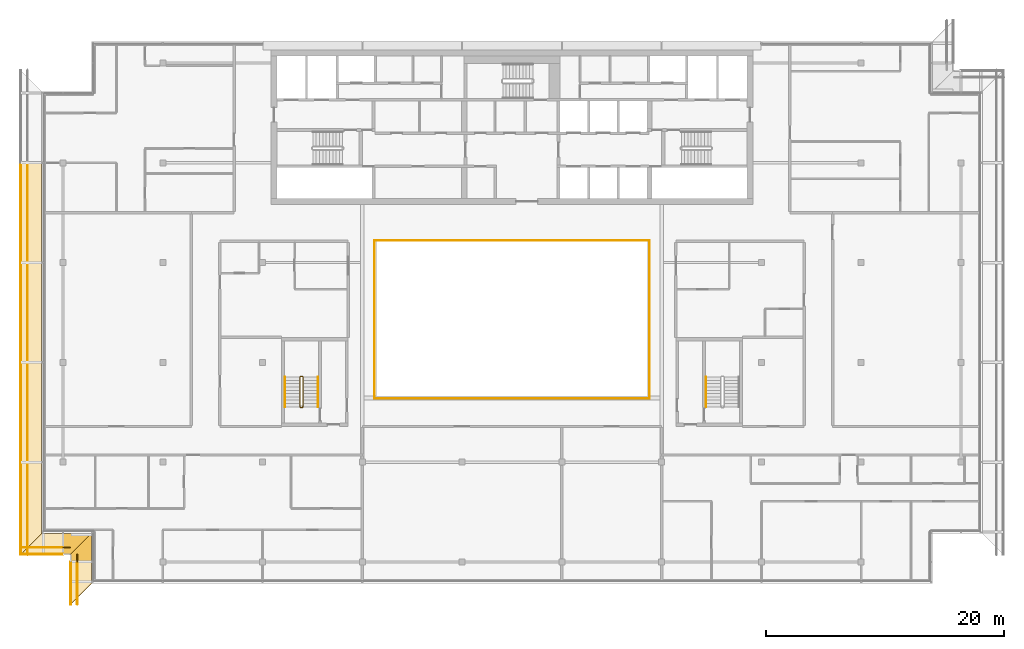
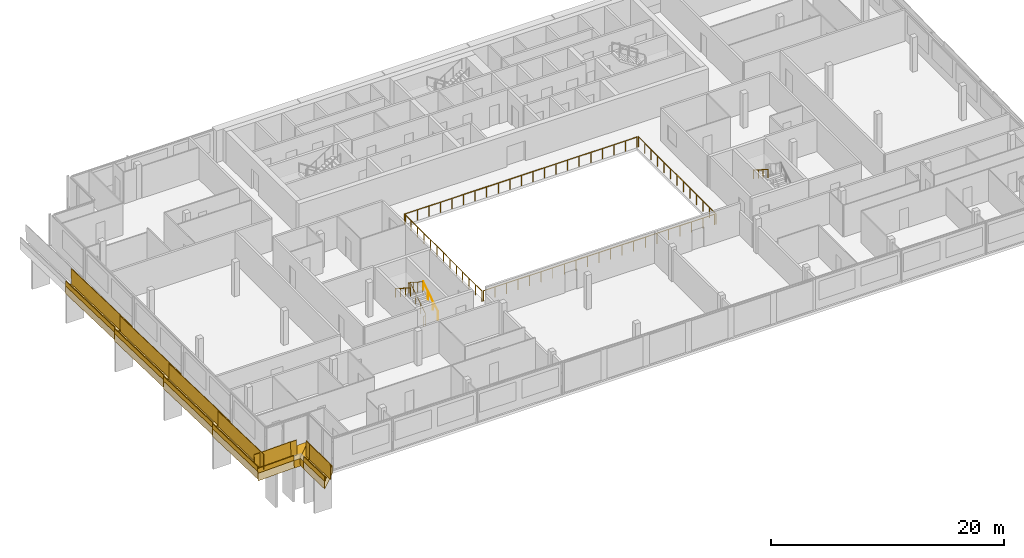
# One storey, part 23 of 27: 16 railings, 14 coverings.
"""IFC4 building model written with IfcOpenShell, lengths in metres."""

from ifc_helpers import new_model, si_unit, direction, frame, origin, origin_2d, place, context, subcontext, project, spatial, polyline, rectangle, circle, outline, extrude, material, layer, layer_set, type_object, element, save


model = new_model("IFC4")

# Units and contexts
model_context = context("Model", 3, precision=1e-05, world=origin(), true_north=direction((0.0, 1.0)))
body_context = subcontext(model_context, "Body", "Model", "MODEL_VIEW")
ifc_project = project(units=[si_unit("LENGTHUNIT", "METRE"), si_unit("AREAUNIT", "SQUARE_METRE"), si_unit("VOLUMEUNIT", "CUBIC_METRE"), si_unit("PLANEANGLEUNIT", "RADIAN"), si_unit("MASSUNIT", "GRAM", prefix="KILO")], contexts=[model_context])

# Site, building, storey
site_placement = place(None, origin())
site = spatial("IfcSite", under=ifc_project, at=site_placement, CompositionType="ELEMENT")
building_placement = place(site_placement, origin())
building = spatial("IfcBuilding", under=site, at=building_placement, Name="Saffron Gate Tower", CompositionType="ELEMENT")
storey_placement = place(building_placement, frame((0.0, 0.0, 267.14990234375)))
storey = spatial("IfcBuildingStorey", under=building, at=storey_placement, Name="L64", CompositionType="ELEMENT", Elevation=267.14990234375)

# Railings
ifc_material_1 = material(Name="Stainless steel and laminated glass", Category="steel")
railing_type_1 = type_object("IfcRailingType", Name="AG1 Atrium edge guard 1100", PredefinedType="GUARDRAIL", material=ifc_material_1)
railing_1_placement = place(storey_placement, frame((76.02001953125, 45.5400390625, 0.0)))
element("IfcRailing", 1, at=railing_1_placement, inside=storey, type_object=railing_type_1, Name="Guard E1-1", PredefinedType="GUARDRAIL", context=body_context, shape_type="SweptSolid", body=[
    extrude(circle(Radius=0.02392578125, at=origin_2d()), frame((0.0, 0.0, 1.076171875), z_axis=(0.0, 1.0, 0.0), x_axis=(-1.0, 0.0, 0.0)), (0.0, 0.0, 1.0), 13.320068359375),
    extrude(circle(Radius=0.02099609375, at=origin_2d()), origin(), (0.0, 0.0, 1.0), 1.052001953125),
    extrude(circle(Radius=0.02099609375, at=origin_2d()), frame((0.0, 1.110107421875, 0.0)), (0.0, 0.0, 1.0), 1.052001953125),
    extrude(circle(Radius=0.02099609375, at=origin_2d()), frame((0.0, 2.219970703125, 0.0)), (0.0, 0.0, 1.0), 1.052001953125),
    extrude(circle(Radius=0.02099609375, at=origin_2d()), frame((0.0, 3.330078125, 0.0)), (0.0, 0.0, 1.0), 1.052001953125),
    extrude(circle(Radius=0.02099609375, at=origin_2d()), frame((0.0, 4.43994140625, 0.0)), (0.0, 0.0, 1.0), 1.052001953125),
    extrude(circle(Radius=0.02099609375, at=origin_2d()), frame((0.0, 5.550048828125, 0.0)), (0.0, 0.0, 1.0), 1.052001953125),
    extrude(circle(Radius=0.02099609375, at=origin_2d()), frame((0.0, 6.66015625, 0.0)), (0.0, 0.0, 1.0), 1.052001953125),
    extrude(circle(Radius=0.02099609375, at=origin_2d()), frame((0.0, 7.77001953125, 0.0)), (0.0, 0.0, 1.0), 1.052001953125),
    extrude(circle(Radius=0.02099609375, at=origin_2d()), frame((0.0, 8.880126953125, 0.0)), (0.0, 0.0, 1.0), 1.052001953125),
    extrude(circle(Radius=0.02099609375, at=origin_2d()), frame((0.0, 9.989990234375, 0.0)), (0.0, 0.0, 1.0), 1.052001953125),
    extrude(circle(Radius=0.02099609375, at=origin_2d()), frame((0.0, 11.10009765625, 0.0)), (0.0, 0.0, 1.0), 1.052001953125),
    extrude(circle(Radius=0.02099609375, at=origin_2d()), frame((0.0, 12.2099609375, 0.0)), (0.0, 0.0, 1.0), 1.052001953125),
    extrude(circle(Radius=0.02099609375, at=origin_2d()), frame((0.0, 13.320068359375, 0.0)), (0.0, 0.0, 1.0), 1.052001953125),
])
railing_2_placement = place(storey_placement, frame((76.139892578125, 58.860107421875, 0.0)))
element("IfcRailing", 2, at=railing_2_placement, inside=storey, type_object=railing_type_1, Name="Guard E1-2", PredefinedType="GUARDRAIL", context=body_context, shape_type="SweptSolid", body=[
    extrude(circle(Radius=0.02392578125, at=origin_2d()), frame((0.0, 0.0, 1.076171875), z_axis=(1.0, 0.0, 0.0), x_axis=(0.0, 1.0, 0.0)), (0.0, 0.0, 1.0), 22.920166015625),
    extrude(circle(Radius=0.02099609375, at=origin_2d()), origin(), (0.0, 0.0, 1.0), 1.052001953125),
    extrude(circle(Radius=0.02099609375, at=origin_2d()), frame((1.14599609375, 0.0, 0.0)), (0.0, 0.0, 1.0), 1.052001953125),
    extrude(circle(Radius=0.02099609375, at=origin_2d()), frame((2.2919921875, 0.0, 0.0)), (0.0, 0.0, 1.0), 1.052001953125),
    extrude(circle(Radius=0.02099609375, at=origin_2d()), frame((3.43798828125, 0.0, 0.0)), (0.0, 0.0, 1.0), 1.052001953125),
    extrude(circle(Radius=0.02099609375, at=origin_2d()), frame((4.583984375, 0.0, 0.0)), (0.0, 0.0, 1.0), 1.052001953125),
    extrude(circle(Radius=0.02099609375, at=origin_2d()), frame((5.72998046875, 0.0, 0.0)), (0.0, 0.0, 1.0), 1.052001953125),
    extrude(circle(Radius=0.02099609375, at=origin_2d()), frame((6.8759765625, 0.0, 0.0)), (0.0, 0.0, 1.0), 1.052001953125),
    extrude(circle(Radius=0.02099609375, at=origin_2d()), frame((8.02197265625, 0.0, 0.0)), (0.0, 0.0, 1.0), 1.052001953125),
    extrude(circle(Radius=0.02099609375, at=origin_2d()), frame((9.16796875, 0.0, 0.0)), (0.0, 0.0, 1.0), 1.052001953125),
    extrude(circle(Radius=0.02099609375, at=origin_2d()), frame((10.31396484375, 0.0, 0.0)), (0.0, 0.0, 1.0), 1.052001953125),
    extrude(circle(Radius=0.02099609375, at=origin_2d()), frame((11.4599609375, 0.0, 0.0)), (0.0, 0.0, 1.0), 1.052001953125),
    extrude(circle(Radius=0.02099609375, at=origin_2d()), frame((12.606201171875, 0.0, 0.0)), (0.0, 0.0, 1.0), 1.052001953125),
    extrude(circle(Radius=0.02099609375, at=origin_2d()), frame((13.752197265625, 0.0, 0.0)), (0.0, 0.0, 1.0), 1.052001953125),
    extrude(circle(Radius=0.02099609375, at=origin_2d()), frame((14.898193359375, 0.0, 0.0)), (0.0, 0.0, 1.0), 1.052001953125),
    extrude(circle(Radius=0.02099609375, at=origin_2d()), frame((16.044189453125, 0.0, 0.0)), (0.0, 0.0, 1.0), 1.052001953125),
    extrude(circle(Radius=0.02099609375, at=origin_2d()), frame((17.190185546875, 0.0, 0.0)), (0.0, 0.0, 1.0), 1.052001953125),
    extrude(circle(Radius=0.02099609375, at=origin_2d()), frame((18.336181640625, 0.0, 0.0)), (0.0, 0.0, 1.0), 1.052001953125),
    extrude(circle(Radius=0.02099609375, at=origin_2d()), frame((19.482177734375, 0.0, 0.0)), (0.0, 0.0, 1.0), 1.052001953125),
    extrude(circle(Radius=0.02099609375, at=origin_2d()), frame((20.628173828125, 0.0, 0.0)), (0.0, 0.0, 1.0), 1.052001953125),
    extrude(circle(Radius=0.02099609375, at=origin_2d()), frame((21.774169921875, 0.0, 0.0)), (0.0, 0.0, 1.0), 1.052001953125),
    extrude(circle(Radius=0.02099609375, at=origin_2d()), frame((22.920166015625, 0.0, 0.0)), (0.0, 0.0, 1.0), 1.052001953125),
])
railing_3_placement = place(storey_placement, frame((99.179931640625, 58.860107421875, 0.0)))
element("IfcRailing", 3, at=railing_3_placement, inside=storey, type_object=railing_type_1, Name="Guard E1-3", PredefinedType="GUARDRAIL", context=body_context, shape_type="SweptSolid", body=[
    extrude(circle(Radius=0.02392578125, at=origin_2d()), frame((0.0, 0.0, 1.076171875), z_axis=(0.0, -1.0, 0.0), x_axis=(1.0, 0.0, 0.0)), (0.0, 0.0, 1.0), 13.320068359375),
    extrude(circle(Radius=0.02099609375, at=origin_2d()), origin(), (0.0, 0.0, 1.0), 1.052001953125),
    extrude(circle(Radius=0.02099609375, at=origin_2d()), frame((0.0, -1.110107421875, 0.0)), (0.0, 0.0, 1.0), 1.052001953125),
    extrude(circle(Radius=0.02099609375, at=origin_2d()), frame((0.0, -2.219970703125, 0.0)), (0.0, 0.0, 1.0), 1.052001953125),
    extrude(circle(Radius=0.02099609375, at=origin_2d()), frame((0.0, -3.330078125, 0.0)), (0.0, 0.0, 1.0), 1.052001953125),
    extrude(circle(Radius=0.02099609375, at=origin_2d()), frame((0.0, -4.43994140625, 0.0)), (0.0, 0.0, 1.0), 1.052001953125),
    extrude(circle(Radius=0.02099609375, at=origin_2d()), frame((0.0, -5.550048828125, 0.0)), (0.0, 0.0, 1.0), 1.052001953125),
    extrude(circle(Radius=0.02099609375, at=origin_2d()), frame((0.0, -6.66015625, 0.0)), (0.0, 0.0, 1.0), 1.052001953125),
    extrude(circle(Radius=0.02099609375, at=origin_2d()), frame((0.0, -7.77001953125, 0.0)), (0.0, 0.0, 1.0), 1.052001953125),
    extrude(circle(Radius=0.02099609375, at=origin_2d()), frame((0.0, -8.880126953125, 0.0)), (0.0, 0.0, 1.0), 1.052001953125),
    extrude(circle(Radius=0.02099609375, at=origin_2d()), frame((0.0, -9.989990234375, 0.0)), (0.0, 0.0, 1.0), 1.052001953125),
    extrude(circle(Radius=0.02099609375, at=origin_2d()), frame((0.0, -11.10009765625, 0.0)), (0.0, 0.0, 1.0), 1.052001953125),
    extrude(circle(Radius=0.02099609375, at=origin_2d()), frame((0.0, -12.2099609375, 0.0)), (0.0, 0.0, 1.0), 1.052001953125),
    extrude(circle(Radius=0.02099609375, at=origin_2d()), frame((0.0, -13.320068359375, 0.0)), (0.0, 0.0, 1.0), 1.052001953125),
])
railing_4_placement = place(storey_placement, frame((99.06005859375, 45.5400390625, 0.0)))
element("IfcRailing", 4, at=railing_4_placement, inside=storey, type_object=railing_type_1, Name="Guard E1-4", PredefinedType="GUARDRAIL", context=body_context, shape_type="SweptSolid", body=[
    extrude(circle(Radius=0.02392578125, at=origin_2d()), frame((0.0, 0.0, 1.076171875), z_axis=(-1.0, 0.0, 0.0), x_axis=(0.0, -1.0, 0.0)), (0.0, 0.0, 1.0), 22.920166015625),
    extrude(circle(Radius=0.02099609375, at=origin_2d()), origin(), (0.0, 0.0, 1.0), 1.052001953125),
    extrude(circle(Radius=0.02099609375, at=origin_2d()), frame((-1.14599609375, 0.0, 0.0)), (0.0, 0.0, 1.0), 1.052001953125),
    extrude(circle(Radius=0.02099609375, at=origin_2d()), frame((-2.2919921875, 0.0, 0.0)), (0.0, 0.0, 1.0), 1.052001953125),
    extrude(circle(Radius=0.02099609375, at=origin_2d()), frame((-3.43798828125, 0.0, 0.0)), (0.0, 0.0, 1.0), 1.052001953125),
    extrude(circle(Radius=0.02099609375, at=origin_2d()), frame((-4.583984375, 0.0, 0.0)), (0.0, 0.0, 1.0), 1.052001953125),
    extrude(circle(Radius=0.02099609375, at=origin_2d()), frame((-5.72998046875, 0.0, 0.0)), (0.0, 0.0, 1.0), 1.052001953125),
    extrude(circle(Radius=0.02099609375, at=origin_2d()), frame((-6.8759765625, 0.0, 0.0)), (0.0, 0.0, 1.0), 1.052001953125),
    extrude(circle(Radius=0.02099609375, at=origin_2d()), frame((-8.02197265625, 0.0, 0.0)), (0.0, 0.0, 1.0), 1.052001953125),
    extrude(circle(Radius=0.02099609375, at=origin_2d()), frame((-9.16796875, 0.0, 0.0)), (0.0, 0.0, 1.0), 1.052001953125),
    extrude(circle(Radius=0.02099609375, at=origin_2d()), frame((-10.31396484375, 0.0, 0.0)), (0.0, 0.0, 1.0), 1.052001953125),
    extrude(circle(Radius=0.02099609375, at=origin_2d()), frame((-11.4599609375, 0.0, 0.0)), (0.0, 0.0, 1.0), 1.052001953125),
    extrude(circle(Radius=0.02099609375, at=origin_2d()), frame((-12.606201171875, 0.0, 0.0)), (0.0, 0.0, 1.0), 1.052001953125),
    extrude(circle(Radius=0.02099609375, at=origin_2d()), frame((-13.752197265625, 0.0, 0.0)), (0.0, 0.0, 1.0), 1.052001953125),
    extrude(circle(Radius=0.02099609375, at=origin_2d()), frame((-14.898193359375, 0.0, 0.0)), (0.0, 0.0, 1.0), 1.052001953125),
    extrude(circle(Radius=0.02099609375, at=origin_2d()), frame((-16.044189453125, 0.0, 0.0)), (0.0, 0.0, 1.0), 1.052001953125),
    extrude(circle(Radius=0.02099609375, at=origin_2d()), frame((-17.190185546875, 0.0, 0.0)), (0.0, 0.0, 1.0), 1.052001953125),
    extrude(circle(Radius=0.02099609375, at=origin_2d()), frame((-18.336181640625, 0.0, 0.0)), (0.0, 0.0, 1.0), 1.052001953125),
    extrude(circle(Radius=0.02099609375, at=origin_2d()), frame((-19.482177734375, 0.0, 0.0)), (0.0, 0.0, 1.0), 1.052001953125),
    extrude(circle(Radius=0.02099609375, at=origin_2d()), frame((-20.628173828125, 0.0, 0.0)), (0.0, 0.0, 1.0), 1.052001953125),
    extrude(circle(Radius=0.02099609375, at=origin_2d()), frame((-21.774169921875, 0.0, 0.0)), (0.0, 0.0, 1.0), 1.052001953125),
    extrude(circle(Radius=0.02099609375, at=origin_2d()), frame((-22.920166015625, 0.0, 0.0)), (0.0, 0.0, 1.0), 1.052001953125),
])
railing_type_2 = type_object("IfcRailingType", Name="CR1 Stair guard 1100", PredefinedType="GUARDRAIL", material=ifc_material_1)
railing_5_placement = place(storey_placement, frame((69.800048828125, 44.800048828125, 0.0)))
element("IfcRailing", 5, at=railing_5_placement, inside=storey, type_object=railing_type_2, Name="L64 ST-D stair guard 1", PredefinedType="GUARDRAIL", context=body_context, shape_type="SweptSolid", body=[
    extrude(circle(Radius=0.02392578125, at=origin_2d()), frame((0.0, 0.0, 1.076171875), z_axis=(1.0, 0.0, 0.0), x_axis=(0.0, 1.0, 0.0)), (0.0, 0.0, 1.0), 0.14990234375),
    extrude(circle(Radius=0.02392578125, at=origin_2d()), frame((0.14990234375, 0.0, 1.076171875), z_axis=(0.258543844998, 0.258543844998, 0.930757841991), x_axis=(-0.707106781187, 0.707106781187, 0.0)), (0.0, 0.0, 1.0), 0.193603515625),
    extrude(circle(Radius=0.02392578125, at=origin_2d()), frame((0.199951171875, 0.050048828125, 1.25634765625), z_axis=(0.0, 0.841199657755, 0.540724639528), x_axis=(-1.0, 0.0, 0.0)), (0.0, 0.0, 1.0), 2.995849609375),
    extrude(circle(Radius=0.02392578125, at=origin_2d()), frame((0.199951171875, 2.570068359375, 2.8759765625), z_axis=(-0.708833529934, 0.705375805398, 0.0), x_axis=(-0.705375805398, -0.708833529934, 0.0)), (0.0, 0.0, 1.0), 0.070556640625),
    extrude(circle(Radius=0.02392578125, at=origin_2d()), frame((0.14990234375, 2.619873046875, 2.8759765625), z_axis=(-1.0, 0.0, 0.0), x_axis=(0.0, -1.0, 0.0)), (0.0, 0.0, 1.0), 0.14990234375),
    extrude(circle(Radius=0.02392578125, at=origin_2d()), frame((0.0, 2.619873046875, 2.8759765625), z_axis=(-0.258932105505, -0.257669022063, 0.930892496375), x_axis=(0.705375805398, -0.708833529934, 0.0)), (0.0, 0.0, 1.0), 0.193359375),
    extrude(circle(Radius=0.02392578125, at=origin_2d()), frame((-0.050048828125, 2.570068359375, 3.05615234375), z_axis=(0.0, -0.841162588446, 0.540782303519), x_axis=(1.0, 0.0, 0.0)), (0.0, 0.0, 1.0), 2.995849609375),
    extrude(circle(Radius=0.02099609375, at=origin_2d()), origin(), (0.0, 0.0, 1.0), 1.052001953125),
    extrude(circle(Radius=0.02099609375, at=origin_2d()), frame((0.14990234375, 0.0, 0.0)), (0.0, 0.0, 1.0), 1.052001953125),
    extrude(circle(Radius=0.02099609375, at=origin_2d()), frame((0.199951171875, 0.050048828125, 0.18017578125)), (0.0, 0.0, 1.0), 1.052001953125),
    extrude(circle(Radius=0.02099609375, at=origin_2d()), frame((0.199951171875, 0.89013671875, 0.72021484375)), (0.0, 0.0, 1.0), 1.052001953125),
    extrude(circle(Radius=0.02099609375, at=origin_2d()), frame((0.199951171875, 1.72998046875, 1.260009765625)), (0.0, 0.0, 1.0), 1.052001953125),
    extrude(circle(Radius=0.02099609375, at=origin_2d()), frame((0.199951171875, 2.570068359375, 1.800048828125)), (0.0, 0.0, 1.0), 1.052001953125),
    extrude(circle(Radius=0.02099609375, at=origin_2d()), frame((0.14990234375, 2.619873046875, 1.800048828125)), (0.0, 0.0, 1.0), 1.052001953125),
    extrude(circle(Radius=0.02099609375, at=origin_2d()), frame((0.0, 2.619873046875, 1.800048828125)), (0.0, 0.0, 1.0), 1.052001953125),
    extrude(circle(Radius=0.02099609375, at=origin_2d()), frame((-0.050048828125, 2.570068359375, 1.97998046875)), (0.0, 0.0, 1.0), 1.052001953125),
    extrude(circle(Radius=0.02099609375, at=origin_2d()), frame((-0.050048828125, 1.72998046875, 2.52001953125)), (0.0, 0.0, 1.0), 1.052001953125),
    extrude(circle(Radius=0.02099609375, at=origin_2d()), frame((-0.050048828125, 0.89013671875, 3.06005859375)), (0.0, 0.0, 1.0), 1.052001953125),
    extrude(circle(Radius=0.02099609375, at=origin_2d()), frame((-0.050048828125, 0.050048828125, 3.60009765625)), (0.0, 0.0, 1.0), 1.052001953125),
])
ifc_material_2 = material(Name="Stainless steel", Category="steel")
railing_type_3 = type_object("IfcRailingType", Name="CR2 Stair handrail 900", PredefinedType="HANDRAIL", material=ifc_material_2)
railing_6_placement = place(storey_placement, frame((71.25, 44.85009765625, 0.18017578125)))
element("IfcRailing", 6, at=railing_6_placement, inside=storey, type_object=railing_type_3, Name="L64 ST-D stair handrail 1", PredefinedType="HANDRAIL", context=body_context, shape_type="SweptSolid", body=[
    extrude(circle(Radius=0.02392578125, at=origin_2d()), frame((0.0, 0.0, 0.8759765625), z_axis=(0.0, 0.841199657755, 0.540724639528), x_axis=(-1.0, 0.0, 0.0)), (0.0, 0.0, 1.0), 2.995849609375),
    extrude(circle(Radius=0.02099609375, at=origin_2d()), origin(), (0.0, 0.0, 1.0), 0.851806640625),
    extrude(circle(Radius=0.02099609375, at=origin_2d()), frame((0.0, 0.840087890625, 0.5400390625)), (0.0, 0.0, 1.0), 0.851806640625),
    extrude(circle(Radius=0.02099609375, at=origin_2d()), frame((0.0, 1.679931640625, 1.079833984375)), (0.0, 0.0, 1.0), 0.851806640625),
    extrude(circle(Radius=0.02099609375, at=origin_2d()), frame((0.0, 2.52001953125, 1.619873046875)), (0.0, 0.0, 1.0), 0.851806640625),
])
for number, where, name in (
    (7, (68.5, 47.3701171875, 1.97998046875), "L64 ST-D stair handrail 2"),
    (8, (103.949951171875, 47.3701171875, 1.97998046875), "L64 ST-E stair handrail 2"),
):
    element("IfcRailing", number, at=place(storey_placement, frame(where)), inside=storey, type_object=railing_type_3, Name=name, PredefinedType="HANDRAIL", context=body_context, shape_type="SweptSolid", body=[
        extrude(circle(Radius=0.02392578125, at=origin_2d()), frame((0.0, 0.0, 0.8759765625), z_axis=(0.0, -0.841162588446, 0.540782303519), x_axis=(1.0, 0.0, 0.0)), (0.0, 0.0, 1.0), 2.995849609375),
        extrude(circle(Radius=0.02099609375, at=origin_2d()), origin(), (0.0, 0.0, 1.0), 0.851806640625),
        extrude(circle(Radius=0.02099609375, at=origin_2d()), frame((0.0, -0.840087890625, 0.5400390625)), (0.0, 0.0, 1.0), 0.851806640625),
        extrude(circle(Radius=0.02099609375, at=origin_2d()), frame((0.0, -1.679931640625, 1.080078125)), (0.0, 0.0, 1.0), 0.851806640625),
        extrude(circle(Radius=0.02099609375, at=origin_2d()), frame((0.0, -2.52001953125, 1.6201171875)), (0.0, 0.0, 1.0), 0.851806640625),
    ])

# Coverings
ifc_material_3 = material(Name="Timber, thermally modified ash", Category="wood")
ifc_layer_1 = layer(ifc_material_3, 0.800048828125)
ifc_layer_set_1 = layer_set([ifc_layer_1], Name="LD1 ledge timber")
covering_type_1 = type_object("IfcCoveringType", Name="LD1 ledge timber", PredefinedType="CLADDING", material=ifc_layer_set_1)
for number, where, z_axis, x_axis, name in (
    (9, (48.0, 65.39990234375, 0.041259765625), (0.0, 0.028791175352, 0.999585448184), (0.0, -0.999585448184, 0.028791175352), "LEDGE"),
    (10, (48.0, 57.0, 0.15087890625), (0.0, 0.028791175352, 0.999585448184), (0.0, -0.999585448184, 0.028791175352), "LEDGE"),
):
    element("IfcCovering", number, at=place(storey_placement, frame(where, z_axis=z_axis, x_axis=x_axis)), inside=storey, type_object=covering_type_1, Name=name, PredefinedType="CLADDING", context=body_context, shape_type="SweptSolid", body=[
        extrude(outline(polyline([(0.0, 0.0), (8.403385982666892, 0.0), (8.403385982666892, -1.800048828125), (0.0, -1.800048828125), (0.0, 0.0)])), origin(), (0.0, 0.0, -1.0), 0.800048828125),
    ])
covering_1_placement = place(storey_placement, frame((48.0, 48.60009765625, 0.260498046875), z_axis=(0.0, 0.028790339263, 0.999585472266), x_axis=(0.0, -0.999585472266, 0.028790339263)))
element("IfcCovering", 11, at=covering_1_placement, inside=storey, type_object=covering_type_1, Name="LEDGE", PredefinedType="CLADDING", context=body_context, shape_type="SweptSolid", body=[
    extrude(outline(polyline([(0.0, 0.0), (8.403630022085892, 0.0), (8.403630022085892, -1.800048828125), (0.0, -1.800048828125), (0.0, 0.0)])), origin(), (0.0, 0.0, -1.0), 0.800048828125),
])
covering_2_placement = place(storey_placement, frame((48.0, 40.199951171875, 0.3701171875), z_axis=(3.5027307e-05, 0.028807146299, 0.99958498743), x_axis=(3.68e-10, -0.999584988043, 0.028807146316)))
element("IfcCovering", 12, at=covering_2_placement, inside=storey, type_object=covering_type_1, Name="LEDGE", PredefinedType="CLADDING", context=body_context, shape_type="SweptSolid", body=[
    extrude(outline(polyline([(0.0, 0.0), (6.0024892885105, -2.541098841762901e-21), (7.8032891020589235, -1.8000488321003227), (-6.622937652878055e-10, -1.8000488270207489), (0.0, 0.0)])), origin(), (0.0, 0.0, -1.0), 0.800048828125),
])
covering_3_placement = place(storey_placement, frame((48.0, 34.199951171875, 0.448486328125), z_axis=(-0.028741681402, 0.0, 0.999586872538), x_axis=(0.999586872538, 0.0, 0.028741681402)))
element("IfcCovering", 13, at=covering_3_placement, inside=storey, type_object=covering_type_1, Name="LEDGE", PredefinedType="CLADDING", context=body_context, shape_type="SweptSolid", body=[
    extrude(outline(polyline([(0.0, 0.0), (1.8007927850779974, 0.0), (1.8007927850779974, -1.800048828125), (-1.8007927850779974, -1.800048828125), (0.0, 0.0)])), origin(), (0.0, 0.0, -1.0), 0.800048828125),
])
covering_4_placement = place(storey_placement, frame((49.800048828125, 34.199951171875, 0.471923828125), z_axis=(-0.028798988267, 2.8677152e-05, 0.999585222706), x_axis=(0.999585223117, 6.17e-10, 0.028798988279)))
element("IfcCovering", 14, at=covering_4_placement, inside=storey, type_object=covering_type_1, Name="LEDGE", PredefinedType="CLADDING", context=body_context, shape_type="SweptSolid", body=[
    extrude(outline(polyline([(0.0, 0.0), (2.400896693585025, 4.235164736271502e-22), (0.6001039103565923, -1.8000488292351675), (-1.1098572600196767e-09, -1.8000488273848385), (0.0, 0.0)])), origin(), (0.0, 0.0, -1.0), 0.800048828125),
])
covering_5_placement = place(storey_placement, frame((52.199951171875, 34.199951171875, 0.50341796875), z_axis=(-2.8677152e-05, 0.028798988267, 0.999585222706), x_axis=(-6.17e-10, -0.999585223117, 0.028798988279)))
element("IfcCovering", 15, at=covering_5_placement, inside=storey, type_object=covering_type_1, Name="LEDGE", PredefinedType="CLADDING", context=body_context, shape_type="SweptSolid", body=[
    extrude(outline(polyline([(0.0, 0.0), (2.400896693585025, -4.235164736271502e-22), (2.400896694694882, -1.8000488273848385), (1.8007927832284332, -1.8000488292351673), (0.0, 0.0)])), origin(), (0.0, 0.0, -1.0), 0.800048828125),
])
covering_6_placement = place(storey_placement, frame((52.199951171875, 31.800048828125, 0.53466796875), z_axis=(4.5191264e-05, 0.028786835276, 0.999585572161), x_axis=(2.041e-09, -0.999585573182, 0.028786835305)))
element("IfcCovering", 16, at=covering_6_placement, inside=storey, type_object=covering_type_1, Name="LEDGE", PredefinedType="CLADDING", context=body_context, shape_type="SweptSolid", body=[
    extrude(outline(polyline([(0.0, 0.0), (1.8007927832406818, 0.0), (3.601592590842695, -1.8000488373153904), (-3.674631647332522e-09, -1.800048826286925), (0.0, 0.0)])), origin(), (0.0, 0.0, -1.0), 0.800048828125),
])
ifc_layer_2 = layer(ifc_material_3, 0.080078125)
ifc_layer_set_2 = layer_set([ifc_layer_2], Name="LD2 ledge planter trough")
covering_type_2 = type_object("IfcCoveringType", Name="LD2 ledge planter trough", PredefinedType="CLADDING", material=ifc_layer_set_2)
for number, where, z_axis, x_axis, name in (
    (17, (46.199951171875, 65.39990234375, 0.041259765625), (-1.0, 0.0, 0.0), (0.0, -0.999585448184, 0.028791175352), "LEDGE planter trough"),
    (18, (46.199951171875, 57.0, 0.15087890625), (-1.0, 0.0, 0.0), (0.0, -0.999585448184, 0.028791175352), "LEDGE planter trough"),
):
    element("IfcCovering", number, at=place(storey_placement, frame(where, z_axis=z_axis, x_axis=x_axis)), inside=storey, type_object=covering_type_2, Name=name, PredefinedType="CLADDING", context=body_context, shape_type="SweptSolid", body=[
        extrude(outline(polyline([(0.0, 0.0), (8.403385982666892, 0.0), (8.417781570342743, 0.49979272409216496), (0.014395587675851172, 0.4997927240921649), (0.0, 0.0)])), origin(), (0.0, 0.0, -1.0), 0.080078125),
    ])
covering_7_placement = place(storey_placement, frame((46.199951171875, 48.60009765625, 0.260498046875), z_axis=(-1.0, 0.0, 0.0), x_axis=(0.0, -0.999585472266, 0.028790339263)))
element("IfcCovering", 19, at=covering_7_placement, inside=storey, type_object=covering_type_2, Name="LEDGE planter trough", PredefinedType="CLADDING", context=body_context, shape_type="SweptSolid", body=[
    extrude(outline(polyline([(0.0, 0.0), (8.403630022085892, 0.0), (8.418025191717298, 0.4997927361329725), (0.014395169631405694, 0.4997927361329725), (0.0, 0.0)])), origin(), (0.0, 0.0, -1.0), 0.080078125),
])
covering_8_placement = place(storey_placement, frame((46.199951171875, 40.199951171875, 0.3701171875), z_axis=(-1.0, 0.0, 0.0), x_axis=(0.0, -0.999584755248, 0.028815222999)))
element("IfcCovering", 20, at=covering_8_placement, inside=storey, type_object=covering_type_2, Name="LEDGE planter trough", PredefinedType="CLADDING", context=body_context, shape_type="SweptSolid", body=[
    extrude(outline(polyline([(0.0, 0.0), (7.803289102975944, 0.0), (7.8176967144752565, 0.4997923776238338), (0.014407611499312996, 0.4997923776238338), (0.0, 0.0)])), origin(), (0.0, 0.0, -1.0), 0.080078125),
])
covering_9_placement = place(storey_placement, frame((46.199951171875, 32.39990234375, 0.396728515625), z_axis=(0.0, -1.0, 0.0), x_axis=(0.999586872538, 0.0, 0.028741681402)))
element("IfcCovering", 21, at=covering_9_placement, inside=storey, type_object=covering_type_2, Name="LEDGE planter trough", PredefinedType="CLADDING", context=body_context, shape_type="SweptSolid", body=[
    extrude(outline(polyline([(0.0, 0.0), (3.601585570155995, 0.0), (3.6159564108570694, 0.49979343626896944), (0.014370840701074394, 0.4997934362689694), (0.0, 0.0)])), origin(), (0.0, 0.0, -1.0), 0.080078125),
])
covering_10_placement = place(storey_placement, frame((50.39990234375, 31.800048828125, 0.53466796875), z_axis=(-1.0, 0.0, 0.0), x_axis=(0.0, -0.99958492274, 0.028809412191)))
element("IfcCovering", 22, at=covering_10_placement, inside=storey, type_object=covering_type_2, Name="LEDGE planter trough", PredefinedType="CLADDING", context=body_context, shape_type="SweptSolid", body=[
    extrude(outline(polyline([(0.0, 0.0), (3.601592595435983, 0.0), (3.6159973015313485, 0.4997924613700232), (0.014404706095365512, 0.4997924613700232), (0.0, 0.0)])), origin(), (0.0, 0.0, -1.0), 0.080078125),
])

# Railings
railing_type_4 = type_object("IfcRailingType", Name="LG1 ledge balustrade", PredefinedType="BALUSTRADE", material=ifc_material_3)
for number, where, name in (
    (23, (46.800048828125, 65.39990234375, 0.041259765625), "LEDGE BALUSTRADE"),
    (24, (46.800048828125, 57.0, 0.15087890625), "LEDGE BALUSTRADE"),
):
    element("IfcRailing", number, at=place(storey_placement, frame(where)), inside=storey, type_object=railing_type_4, Name=name, PredefinedType="BALUSTRADE", context=body_context, shape_type="SweptSolid", body=[
        extrude(rectangle(XDim=0.06005859375, YDim=1.60009765625, at=origin_2d()), frame((0.0, 0.0, 0.800048828125), z_axis=(0.0, -0.999585448184, 0.028791175352), x_axis=(1.0, 0.0, 0.0)), (0.0, 0.0, 1.0), 8.4033203125),
    ])
railing_7_placement = place(storey_placement, frame((46.800048828125, 48.60009765625, 0.260498046875)))
element("IfcRailing", 25, at=railing_7_placement, inside=storey, type_object=railing_type_4, Name="LEDGE BALUSTRADE", PredefinedType="BALUSTRADE", context=body_context, shape_type="SweptSolid", body=[
    extrude(rectangle(XDim=0.06005859375, YDim=1.60009765625, at=origin_2d()), frame((0.0, 0.0, 0.800048828125), z_axis=(0.0, -0.999585472266, 0.028790339263), x_axis=(1.0, 0.0, 0.0)), (0.0, 0.0, 1.0), 8.403564453125),
])
railing_8_placement = place(storey_placement, frame((46.800048828125, 40.199951171875, 0.3701171875)))
element("IfcRailing", 26, at=railing_8_placement, inside=storey, type_object=railing_type_4, Name="LEDGE BALUSTRADE", PredefinedType="BALUSTRADE", context=body_context, shape_type="SweptSolid", body=[
    extrude(rectangle(XDim=0.06005859375, YDim=1.60009765625, at=origin_2d()), frame((0.0, 0.0, 0.800048828125), z_axis=(0.0, -0.999584755248, 0.028815222999), x_axis=(1.0, 0.0, 0.0)), (0.0, 0.0, 1.0), 7.80322265625),
])
railing_9_placement = place(storey_placement, frame((46.199951171875, 33.0, 0.396728515625)))
element("IfcRailing", 27, at=railing_9_placement, inside=storey, type_object=railing_type_4, Name="LEDGE BALUSTRADE", PredefinedType="BALUSTRADE", context=body_context, shape_type="SweptSolid", body=[
    extrude(rectangle(XDim=0.06005859375, YDim=1.60009765625, at=origin_2d()), frame((0.0, 0.0, 0.800048828125), z_axis=(0.999586872538, 0.0, 0.028741681402), x_axis=(0.0, 1.0, 0.0)), (0.0, 0.0, 1.0), 3.6015625),
])
railing_10_placement = place(storey_placement, frame((49.800048828125, 33.0, 0.471923828125)))
element("IfcRailing", 28, at=railing_10_placement, inside=storey, type_object=railing_type_4, Name="LEDGE BALUSTRADE", PredefinedType="BALUSTRADE", context=body_context, shape_type="SweptSolid", body=[
    extrude(rectangle(XDim=0.06005859375, YDim=1.60009765625, at=origin_2d()), frame((0.0, 0.0, 0.800048828125), z_axis=(0.999582742162, 0.0, 0.028884971385), x_axis=(0.0, 1.0, 0.0)), (0.0, 0.0, 1.0), 0.60009765625),
])
railing_11_placement = place(storey_placement, frame((51.0, 32.39990234375, 0.55517578125)))
element("IfcRailing", 29, at=railing_11_placement, inside=storey, type_object=railing_type_4, Name="LEDGE BALUSTRADE", PredefinedType="BALUSTRADE", context=body_context, shape_type="SweptSolid", body=[
    extrude(rectangle(XDim=0.06005859375, YDim=1.60009765625, at=origin_2d()), frame((0.0, 0.0, 0.800048828125), z_axis=(0.0, -0.999582742162, 0.028884971385), x_axis=(1.0, 0.0, 0.0)), (0.0, 0.0, 1.0), 0.60009765625),
])
railing_12_placement = place(storey_placement, frame((51.0, 31.800048828125, 0.53466796875)))
element("IfcRailing", 30, at=railing_12_placement, inside=storey, type_object=railing_type_4, Name="LEDGE BALUSTRADE", PredefinedType="BALUSTRADE", context=body_context, shape_type="SweptSolid", body=[
    extrude(rectangle(XDim=0.06005859375, YDim=1.60009765625, at=origin_2d()), frame((0.0, 0.0, 0.800048828125), z_axis=(0.0, -0.99958492274, 0.028809412191), x_axis=(1.0, 0.0, 0.0)), (0.0, 0.0, 1.0), 3.6015625),
])

save(model, "model.ifc")
